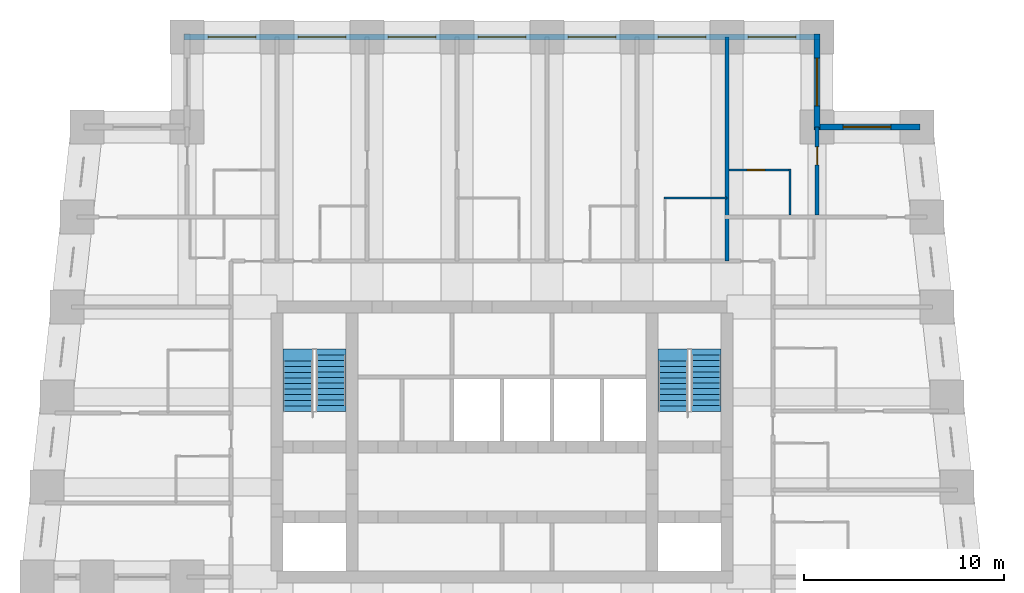
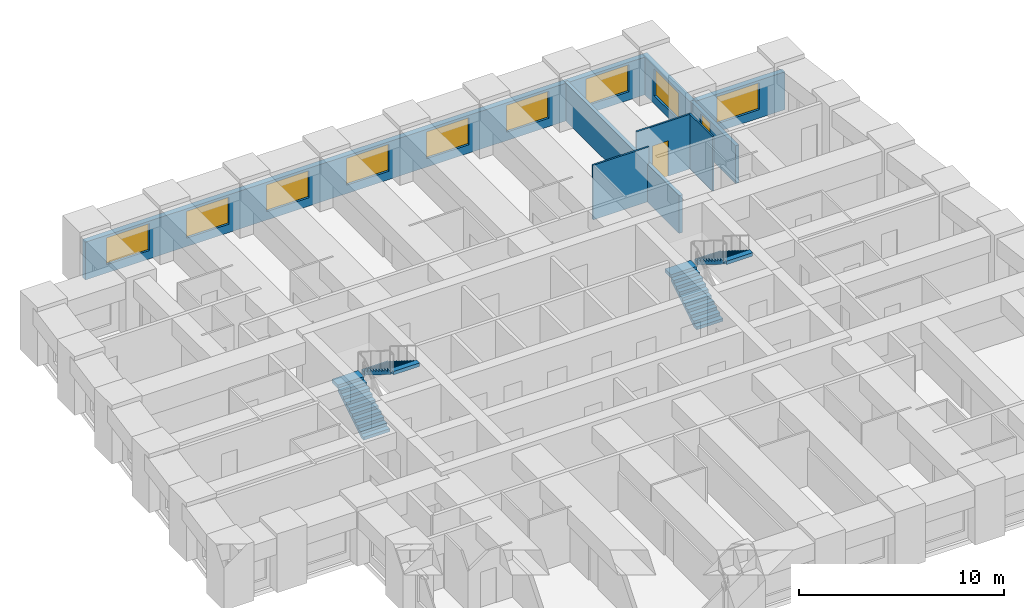
# One storey, part 7 of 8: 9 windows, 8 walls, 4 stair flights, 2 doors, 11 openings, 2 elements without a shape of their own.
"""IFC4 building model written with IfcOpenShell, lengths in metres."""

from ifc_helpers import new_model, si_unit, direction, frame, frame_2d, origin, place, context, subcontext, project, spatial, polyline, rectangle, outline, extrude, material, layer, layer_set, type_object, element, fill, aggregate, save


model = new_model("IFC4")

# Units and contexts
model_context = context("Model", 3, precision=1e-05, world=origin(), true_north=direction((0.0, 1.0)))
body_context = subcontext(model_context, "Body", "Model", "MODEL_VIEW")
ifc_project = project(units=[si_unit("LENGTHUNIT", "METRE"), si_unit("AREAUNIT", "SQUARE_METRE"), si_unit("VOLUMEUNIT", "CUBIC_METRE"), si_unit("PLANEANGLEUNIT", "RADIAN"), si_unit("MASSUNIT", "GRAM", prefix="KILO")], contexts=[model_context])

# Site, building, storey
site_placement = place(None, origin())
site = spatial("IfcSite", under=ifc_project, at=site_placement, CompositionType="ELEMENT")
building_placement = place(site_placement, origin())
building = spatial("IfcBuilding", under=site, at=building_placement, Name="Kilele Tower Hotel", CompositionType="ELEMENT")
storey_placement = place(building_placement, frame((0.0, 0.0, 204.39990234375)))
storey = spatial("IfcBuildingStorey", under=building, at=storey_placement, Name="L53", CompositionType="ELEMENT", Elevation=204.39990234375)

# Walls
ifc_material_1 = material(Name="Moisture-resistant board")
ifc_layer_1 = layer(ifc_material_1, 0.10009765625)
ifc_layer_set_1 = layer_set([ifc_layer_1], Name="Moisture-resistant board")
wall_type_1 = type_object("IfcWallType", Name="Bathroom partition 100", PredefinedType="PLUMBINGWALL", material=ifc_layer_set_1)
wall_1_placement = place(storey_placement, frame((32.85009765625, 32.449951171875, 0.0), z_axis=(0.0, 0.0, 1.0), x_axis=(1.0, 0.0, 0.0)))
element("IfcWall", 1, at=wall_1_placement, inside=storey, type_object=wall_type_1, Name="Bathroom partition 100 L53", PredefinedType="PLUMBINGWALL", context=body_context, shape_type="SweptSolid", body=[
    extrude(rectangle(XDim=3.14990234375, YDim=0.10009765625, at=frame_2d((1.574951171875, 0.0))), origin(), (0.0, 0.0, 1.0), 3.25),
])
wall_2_placement = place(storey_placement, frame((39.14990234375, 31.60009765625, 0.0), z_axis=(0.0, 0.0, 1.0), x_axis=(0.0, 1.0, 0.0)))
element("IfcWall", 2, at=wall_2_placement, inside=storey, type_object=wall_type_1, Name="Bathroom partition 100 L53", PredefinedType="PLUMBINGWALL", context=body_context, shape_type="SweptSolid", body=[
    extrude(rectangle(XDim=2.2998046875, YDim=0.10009765625, at=frame_2d((1.14990234375, 0.0))), origin(), (0.0, 0.0, 1.0), 3.25),
])

# Wall, opening, door
wall_3_placement = place(storey_placement, frame((36.10009765625, 33.85009765625, 0.0), z_axis=(0.0, 0.0, 1.0), x_axis=(1.0, 0.0, 0.0)))
wall_3 = element("IfcWall", 3, at=wall_3_placement, inside=storey, type_object=wall_type_1, Name="Bathroom partition 100 L53", PredefinedType="PLUMBINGWALL", context=body_context, shape_type="SweptSolid", body=[
    extrude(rectangle(XDim=3.099853515625, YDim=0.10009765625, at=frame_2d((1.5498046875, 0.0))), origin(), (0.0, 0.0, 1.0), 3.25),
])
opening_1_placement = place(wall_3_placement, frame((0.89990234375, 0.0, 0.0)))
opening_1 = element("IfcOpeningElement", 4, at=opening_1_placement, cuts=wall_3, Name="Opening D2A", PredefinedType="OPENING", context=body_context, shape_type="SweptSolid", body=[
    extrude(rectangle(XDim=0.89990234375, YDim=2.10009765625, at=frame_2d((0.449951171875, 1.050048828125))), frame((0.0, 0.06005859375, 0.0), z_axis=(0.0, -1.0, 0.0), x_axis=(1.0, 0.0, 0.0)), (0.0, 0.0, 1.0), 0.1201171875),
])
ifc_material_2 = material(Name="Timber door leaf in hardwood frame", Category="wood")
door_type_1 = type_object("IfcDoorType", Name="Bathroom door 900", OperationType="SINGLE_SWING_LEFT", PredefinedType="DOOR", material=ifc_material_2)
door_1_placement = place(opening_1_placement, origin())
door_1 = element("IfcDoor", 5, at=door_1_placement, inside=storey, type_object=door_type_1, Name="Bathroom door 5323B", OperationType="SINGLE_SWING_LEFT", OverallHeight=2.10009765625, OverallWidth=0.89990234375, PredefinedType="DOOR", context=body_context, shape_type="SweptSolid", body=[
    extrude(rectangle(XDim=0.89990234375, YDim=2.10009765625, at=frame_2d((0.449951171875, 1.050048828125))), frame((0.0, 0.02490234375, 0.0), z_axis=(0.0, -1.0, 0.0), x_axis=(1.0, 0.0, 0.0)), (0.0, 0.0, 1.0), 0.050048828125),
])
fill(opening_1, door_1)

ifc_material_3 = material(Name="Blockwork, plastered both sides", Category="masonry")
ifc_layer_2 = layer(ifc_material_3, 0.199951171875)
ifc_layer_set_2 = layer_set([ifc_layer_2], Name="Blockwork, plastered both sides")
wall_type_2 = type_object("IfcWallType", Name="Partition wall 200", PredefinedType="PARTITIONING", material=ifc_layer_set_2)
wall_4_placement = place(storey_placement, frame((40.5, 31.60009765625, 0.0), z_axis=(0.0, 0.0, 1.0), x_axis=(0.0, 1.0, 0.0)))
wall_4 = element("IfcWall", 6, at=wall_4_placement, inside=storey, type_object=wall_type_2, Name="Partition wall 200 L53", PredefinedType="PARTITIONING", context=body_context, shape_type="SweptSolid", body=[
    extrude(rectangle(XDim=4.39990234375, YDim=0.199951171875, at=frame_2d((2.199951171875, 0.0))), origin(), (0.0, 0.0, 1.0), 2.25),
])
opening_2_placement = place(wall_4_placement, frame((2.5, 0.0, 0.0)))
opening_2 = element("IfcOpeningElement", 7, at=opening_2_placement, cuts=wall_4, Name="Opening D3", PredefinedType="OPENING", context=body_context, shape_type="SweptSolid", body=[
    extrude(rectangle(XDim=0.89990234375, YDim=2.10009765625, at=frame_2d((0.449951171875, 1.050048828125))), frame((0.0, 0.10986328125, 0.0), z_axis=(0.0, -1.0, 0.0), x_axis=(1.0, 0.0, 0.0)), (0.0, 0.0, 1.0), 0.219970703125),
])
ifc_material_4 = material(Name="Timber door leaf in hardwood frame", Category="wood")
door_type_2 = type_object("IfcDoorType", Name="Suite internal door 900", OperationType="SINGLE_SWING_LEFT", PredefinedType="DOOR", material=ifc_material_4)
door_2_placement = place(opening_2_placement, origin())
door_2 = element("IfcDoor", 8, at=door_2_placement, inside=storey, type_object=door_type_2, Name="Suite door 5324", OperationType="SINGLE_SWING_RIGHT", OverallHeight=2.10009765625, OverallWidth=0.89990234375, PredefinedType="DOOR", context=body_context, shape_type="SweptSolid", body=[
    extrude(rectangle(XDim=0.89990234375, YDim=2.10009765625, at=frame_2d((0.449951171875, 1.050048828125))), frame((0.0, 0.02490234375, 0.0), z_axis=(0.0, -1.0, 0.0), x_axis=(1.0, 0.0, 0.0)), (0.0, 0.0, 1.0), 0.050048828125),
])
fill(opening_2, door_2)

# Wall
ifc_material_5 = material(Name="Blockwork, plastered both sides", Category="masonry")
ifc_layer_3 = layer(ifc_material_5, 0.199951171875)
ifc_layer_set_3 = layer_set([ifc_layer_3], Name="Blockwork, plastered both sides")
wall_type_3 = type_object("IfcWallType", Name="Party wall 200", PredefinedType="PARTITIONING", material=ifc_layer_set_3)
wall_5_placement = place(storey_placement, frame((36.0, 29.300048828125, 0.0), z_axis=(0.0, 0.0, 1.0), x_axis=(0.0, 1.0, 0.0)))
element("IfcWall", 9, at=wall_5_placement, inside=storey, type_object=wall_type_3, Name="Party wall 200 L53", PredefinedType="PARTITIONING", context=body_context, shape_type="SweptSolid", body=[
    extrude(rectangle(XDim=11.199951171875, YDim=0.199951171875, at=frame_2d((5.60009765625, 0.0))), origin(), (0.0, 0.0, 1.0), 2.25),
])

# Wall, opening, window
ifc_material_6 = material(Name="Concrete C40/50 precast", Category="concrete")
ifc_layer_4 = layer(ifc_material_6, 0.260009765625, Name="Precast backing", Category="LoadBearing")
ifc_material_7 = material(Name="Reconstituted stone finish", Category="masonry")
ifc_layer_5 = layer(ifc_material_7, 0.0400390625, Name="Face mix", Category="Finish")
ifc_layer_set_4 = layer_set([ifc_layer_4, ifc_layer_5], Name="Precast concrete C40/50, reconstituted stone finish")
wall_type_4 = type_object("IfcWallType", Name="Precast stone facade wall 300", PredefinedType="STANDARD", material=ifc_layer_set_4)
wall_6_placement = place(storey_placement, frame((45.64990234375, 36.0, 0.0), z_axis=(0.0, 0.0, 1.0), x_axis=(-1.0, 0.0, 0.0)))
wall_6 = element("IfcWall", 10, at=wall_6_placement, inside=storey, type_object=wall_type_4, Name="Facade wall L53 edge 7", PredefinedType="STANDARD", context=body_context, shape_type="SweptSolid", body=[
    extrude(rectangle(XDim=5.2998046875, YDim=0.300048828125, at=frame_2d((2.64990234375, 0.0))), origin(), (0.0, 0.0, 1.0), 2.25),
])
opening_3_placement = place(wall_6_placement, frame((1.449951171875, 0.0, 0.5)))
opening_3 = element("IfcOpeningElement", 11, at=opening_3_placement, cuts=wall_6, Name="Opening W3", PredefinedType="OPENING", context=body_context, shape_type="SweptSolid", body=[
    extrude(rectangle(XDim=2.39990234375, YDim=1.60009765625, at=frame_2d((1.199951171875, 0.800048828125))), frame((0.0, 0.159912109375, 0.0), z_axis=(0.0, -1.0, 0.0), x_axis=(1.0, 0.0, 0.0)), (0.0, 0.0, 1.0), 0.320068359375),
])
ifc_material_8 = material(Name="Aluminium frame, clear double glazing", Category="aluminium")
window_type = type_object("IfcWindowType", Name="Window W3 2400 x 1600", PartitioningType="SINGLE_PANEL", PredefinedType="WINDOW", material=ifc_material_8)
window_1_placement = place(opening_3_placement, origin())
window_1 = element("IfcWindow", 12, at=window_1_placement, inside=storey, type_object=window_type, Name="Window L53", OverallHeight=1.60009765625, OverallWidth=2.39990234375, PartitioningType="SINGLE_PANEL", PredefinedType="WINDOW", context=body_context, shape_type="SweptSolid", body=[
    extrude(rectangle(XDim=2.39990234375, YDim=1.60009765625, at=frame_2d((1.199951171875, 0.800048828125))), frame((0.0, 0.030029296875, 0.0), z_axis=(0.0, -1.0, 0.0), x_axis=(1.0, 0.0, 0.0)), (0.0, 0.0, 1.0), 0.06005859375),
])
fill(opening_3, window_1)

wall_7_placement = place(storey_placement, frame((40.5, 35.85009765625, 0.0), z_axis=(0.0, 0.0, 1.0), x_axis=(0.0, 1.0, 0.0)))
wall_7 = element("IfcWall", 13, at=wall_7_placement, inside=storey, type_object=wall_type_4, Name="Facade wall L53 edge 8", PredefinedType="STANDARD", context=body_context, shape_type="SweptSolid", body=[
    extrude(rectangle(XDim=4.7998046875, YDim=0.300048828125, at=frame_2d((2.39990234375, 0.0))), origin(), (0.0, 0.0, 1.0), 2.25),
])
opening_4_placement = place(wall_7_placement, frame((1.199951171875, 0.0, 0.5)))
opening_4 = element("IfcOpeningElement", 14, at=opening_4_placement, cuts=wall_7, Name="Opening W3", PredefinedType="OPENING", context=body_context, shape_type="SweptSolid", body=[
    extrude(rectangle(XDim=2.39990234375, YDim=1.60009765625, at=frame_2d((1.199951171875, 0.800048828125))), frame((0.0, 0.159912109375, 0.0), z_axis=(0.0, -1.0, 0.0), x_axis=(1.0, 0.0, 0.0)), (0.0, 0.0, 1.0), 0.320068359375),
])
window_2_placement = place(opening_4_placement, origin())
window_2 = element("IfcWindow", 15, at=window_2_placement, inside=storey, type_object=window_type, Name="Window L53", OverallHeight=1.60009765625, OverallWidth=2.39990234375, PartitioningType="SINGLE_PANEL", PredefinedType="WINDOW", context=body_context, shape_type="SweptSolid", body=[
    extrude(rectangle(XDim=2.39990234375, YDim=1.60009765625, at=frame_2d((1.199951171875, 0.800048828125))), frame((0.0, 0.030029296875, 0.0), z_axis=(0.0, -1.0, 0.0), x_axis=(1.0, 0.0, 0.0)), (0.0, 0.0, 1.0), 0.06005859375),
])
fill(opening_4, window_2)

# Wall, openings, windows
wall_8_placement = place(storey_placement, frame((40.64990234375, 40.5, 0.0), z_axis=(0.0, 0.0, 1.0), x_axis=(-1.0, 0.0, 0.0)))
wall_8 = element("IfcWall", 16, at=wall_8_placement, inside=storey, type_object=wall_type_4, Name="Facade wall L53 edge 9", PredefinedType="STANDARD", context=body_context, shape_type="SweptSolid", body=[
    extrude(rectangle(XDim=31.7998046875, YDim=0.300048828125, at=frame_2d((15.89990234375, 0.0))), origin(), (0.0, 0.0, 1.0), 2.25),
])
opening_5_placement = place(wall_8_placement, frame((1.199951171875, 0.0, 0.5)))
opening_5 = element("IfcOpeningElement", 17, at=opening_5_placement, cuts=wall_8, Name="Opening W3", PredefinedType="OPENING", context=body_context, shape_type="SweptSolid", body=[
    extrude(rectangle(XDim=2.39990234375, YDim=1.60009765625, at=frame_2d((1.199951171875, 0.800048828125))), frame((0.0, 0.159912109375, 0.0), z_axis=(0.0, -1.0, 0.0), x_axis=(1.0, 0.0, 0.0)), (0.0, 0.0, 1.0), 0.320068359375),
])
opening_6_placement = place(wall_8_placement, frame((5.699951171875, 0.0, 0.5)))
opening_6 = element("IfcOpeningElement", 18, at=opening_6_placement, cuts=wall_8, Name="Opening W3", PredefinedType="OPENING", context=body_context, shape_type="SweptSolid", body=[
    extrude(rectangle(XDim=2.39990234375, YDim=1.60009765625, at=frame_2d((1.199951171875, 0.800048828125))), frame((0.0, 0.159912109375, 0.0), z_axis=(0.0, -1.0, 0.0), x_axis=(1.0, 0.0, 0.0)), (0.0, 0.0, 1.0), 0.320068359375),
])
opening_7_placement = place(wall_8_placement, frame((10.199951171875, 0.0, 0.5)))
opening_7 = element("IfcOpeningElement", 19, at=opening_7_placement, cuts=wall_8, Name="Opening W3", PredefinedType="OPENING", context=body_context, shape_type="SweptSolid", body=[
    extrude(rectangle(XDim=2.39990234375, YDim=1.60009765625, at=frame_2d((1.199951171875, 0.800048828125))), frame((0.0, 0.159912109375, 0.0), z_axis=(0.0, -1.0, 0.0), x_axis=(1.0, 0.0, 0.0)), (0.0, 0.0, 1.0), 0.320068359375),
])
opening_8_placement = place(wall_8_placement, frame((14.699951171875, 0.0, 0.5)))
opening_8 = element("IfcOpeningElement", 20, at=opening_8_placement, cuts=wall_8, Name="Opening W3", PredefinedType="OPENING", context=body_context, shape_type="SweptSolid", body=[
    extrude(rectangle(XDim=2.39990234375, YDim=1.60009765625, at=frame_2d((1.199951171875, 0.800048828125))), frame((0.0, 0.159912109375, 0.0), z_axis=(0.0, -1.0, 0.0), x_axis=(1.0, 0.0, 0.0)), (0.0, 0.0, 1.0), 0.320068359375),
])
opening_9_placement = place(wall_8_placement, frame((19.199951171875, 0.0, 0.5)))
opening_9 = element("IfcOpeningElement", 21, at=opening_9_placement, cuts=wall_8, Name="Opening W3", PredefinedType="OPENING", context=body_context, shape_type="SweptSolid", body=[
    extrude(rectangle(XDim=2.39990234375, YDim=1.60009765625, at=frame_2d((1.199951171875, 0.800048828125))), frame((0.0, 0.159912109375, 0.0), z_axis=(0.0, -1.0, 0.0), x_axis=(1.0, 0.0, 0.0)), (0.0, 0.0, 1.0), 0.320068359375),
])
opening_10_placement = place(wall_8_placement, frame((23.699951171875, 0.0, 0.5)))
opening_10 = element("IfcOpeningElement", 22, at=opening_10_placement, cuts=wall_8, Name="Opening W3", PredefinedType="OPENING", context=body_context, shape_type="SweptSolid", body=[
    extrude(rectangle(XDim=2.39990234375, YDim=1.60009765625, at=frame_2d((1.199951171875, 0.800048828125))), frame((0.0, 0.159912109375, 0.0), z_axis=(0.0, -1.0, 0.0), x_axis=(1.0, 0.0, 0.0)), (0.0, 0.0, 1.0), 0.320068359375),
])
opening_11_placement = place(wall_8_placement, frame((28.199951171875, 0.0, 0.5)))
opening_11 = element("IfcOpeningElement", 23, at=opening_11_placement, cuts=wall_8, Name="Opening W3", PredefinedType="OPENING", context=body_context, shape_type="SweptSolid", body=[
    extrude(rectangle(XDim=2.39990234375, YDim=1.60009765625, at=frame_2d((1.199951171875, 0.800048828125))), frame((0.0, 0.159912109375, 0.0), z_axis=(0.0, -1.0, 0.0), x_axis=(1.0, 0.0, 0.0)), (0.0, 0.0, 1.0), 0.320068359375),
])
window_3_placement = place(opening_5_placement, origin())
window_3 = element("IfcWindow", 24, at=window_3_placement, inside=storey, type_object=window_type, Name="Window L53", OverallHeight=1.60009765625, OverallWidth=2.39990234375, PartitioningType="SINGLE_PANEL", PredefinedType="WINDOW", context=body_context, shape_type="SweptSolid", body=[
    extrude(rectangle(XDim=2.39990234375, YDim=1.60009765625, at=frame_2d((1.199951171875, 0.800048828125))), frame((0.0, 0.030029296875, 0.0), z_axis=(0.0, -1.0, 0.0), x_axis=(1.0, 0.0, 0.0)), (0.0, 0.0, 1.0), 0.06005859375),
])
fill(opening_5, window_3)
window_4_placement = place(opening_6_placement, origin())
window_4 = element("IfcWindow", 25, at=window_4_placement, inside=storey, type_object=window_type, Name="Window L53", OverallHeight=1.60009765625, OverallWidth=2.39990234375, PartitioningType="SINGLE_PANEL", PredefinedType="WINDOW", context=body_context, shape_type="SweptSolid", body=[
    extrude(rectangle(XDim=2.39990234375, YDim=1.60009765625, at=frame_2d((1.199951171875, 0.800048828125))), frame((0.0, 0.030029296875, 0.0), z_axis=(0.0, -1.0, 0.0), x_axis=(1.0, 0.0, 0.0)), (0.0, 0.0, 1.0), 0.06005859375),
])
fill(opening_6, window_4)
window_5_placement = place(opening_7_placement, origin())
window_5 = element("IfcWindow", 26, at=window_5_placement, inside=storey, type_object=window_type, Name="Window L53", OverallHeight=1.60009765625, OverallWidth=2.39990234375, PartitioningType="SINGLE_PANEL", PredefinedType="WINDOW", context=body_context, shape_type="SweptSolid", body=[
    extrude(rectangle(XDim=2.39990234375, YDim=1.60009765625, at=frame_2d((1.199951171875, 0.800048828125))), frame((0.0, 0.030029296875, 0.0), z_axis=(0.0, -1.0, 0.0), x_axis=(1.0, 0.0, 0.0)), (0.0, 0.0, 1.0), 0.06005859375),
])
fill(opening_7, window_5)
window_6_placement = place(opening_8_placement, origin())
window_6 = element("IfcWindow", 27, at=window_6_placement, inside=storey, type_object=window_type, Name="Window L53", OverallHeight=1.60009765625, OverallWidth=2.39990234375, PartitioningType="SINGLE_PANEL", PredefinedType="WINDOW", context=body_context, shape_type="SweptSolid", body=[
    extrude(rectangle(XDim=2.39990234375, YDim=1.60009765625, at=frame_2d((1.199951171875, 0.800048828125))), frame((0.0, 0.030029296875, 0.0), z_axis=(0.0, -1.0, 0.0), x_axis=(1.0, 0.0, 0.0)), (0.0, 0.0, 1.0), 0.06005859375),
])
fill(opening_8, window_6)
window_7_placement = place(opening_9_placement, origin())
window_7 = element("IfcWindow", 28, at=window_7_placement, inside=storey, type_object=window_type, Name="Window L53", OverallHeight=1.60009765625, OverallWidth=2.39990234375, PartitioningType="SINGLE_PANEL", PredefinedType="WINDOW", context=body_context, shape_type="SweptSolid", body=[
    extrude(rectangle(XDim=2.39990234375, YDim=1.60009765625, at=frame_2d((1.199951171875, 0.800048828125))), frame((0.0, 0.030029296875, 0.0), z_axis=(0.0, -1.0, 0.0), x_axis=(1.0, 0.0, 0.0)), (0.0, 0.0, 1.0), 0.06005859375),
])
fill(opening_9, window_7)
window_8_placement = place(opening_10_placement, origin())
window_8 = element("IfcWindow", 29, at=window_8_placement, inside=storey, type_object=window_type, Name="Window L53", OverallHeight=1.60009765625, OverallWidth=2.39990234375, PartitioningType="SINGLE_PANEL", PredefinedType="WINDOW", context=body_context, shape_type="SweptSolid", body=[
    extrude(rectangle(XDim=2.39990234375, YDim=1.60009765625, at=frame_2d((1.199951171875, 0.800048828125))), frame((0.0, 0.030029296875, 0.0), z_axis=(0.0, -1.0, 0.0), x_axis=(1.0, 0.0, 0.0)), (0.0, 0.0, 1.0), 0.06005859375),
])
fill(opening_10, window_8)
window_9_placement = place(opening_11_placement, origin())
window_9 = element("IfcWindow", 30, at=window_9_placement, inside=storey, type_object=window_type, Name="Window L53", OverallHeight=1.60009765625, OverallWidth=2.39990234375, PartitioningType="SINGLE_PANEL", PredefinedType="WINDOW", context=body_context, shape_type="SweptSolid", body=[
    extrude(rectangle(XDim=2.39990234375, YDim=1.60009765625, at=frame_2d((1.199951171875, 0.800048828125))), frame((0.0, 0.030029296875, 0.0), z_axis=(0.0, -1.0, 0.0), x_axis=(1.0, 0.0, 0.0)), (0.0, 0.0, 1.0), 0.06005859375),
])
fill(opening_11, window_9)

# Stair, stair flights
ifc_material_9 = material(Name="Precast concrete C40/50", Category="concrete")
stair_type = type_object("IfcStairType", Name="Stair 1475 x 3500", PredefinedType="HALF_TURN_STAIR", material=ifc_material_9)
stair_1_placement = place(storey_placement, origin())
stair_1 = element("IfcStair", 31, at=stair_1_placement, inside=storey, type_object=stair_type, Name="Stair 1 L53", PredefinedType="HALF_TURN_STAIR")
ifc_material_10 = material(Name="Precast concrete C40/50", Category="concrete")
stair_flight_type = type_object("IfcStairFlightType", Name="Flight 1475 riser 175.0", PredefinedType="STRAIGHT", material=ifc_material_10)
stair_flight_1_placement = place(storey_placement, frame((14.53759765625, 21.77490234375, 0.0), z_axis=(0.0, 0.0, 1.0), x_axis=(0.0, 1.0, 0.0)))
stair_flight_1 = element("IfcStairFlight", 32, at=stair_flight_1_placement, type_object=stair_flight_type, Name="ST1 flight 1", NumberOfRisers=10, NumberOfTreads=9, PredefinedType="STRAIGHT", RiserHeight=0.175, TreadLength=0.28, context=body_context, shape_type="SweptSolid", body=[
    extrude(outline(polyline([(0.0, 0.0), (0.0, 0.175048828125), (0.280029296875, 0.175048828125), (0.280029296875, 0.35009765625), (0.56005859375, 0.35009765625), (0.56005859375, 0.52490234375), (0.840087890625, 0.52490234375), (0.840087890625, 0.699951171875), (1.1201171875, 0.699951171875), (1.1201171875, 0.875), (1.39990234375, 0.875), (1.39990234375, 1.050048828125), (1.679931640625, 1.050048828125), (1.679931640625, 1.22509765625), (1.9599609375, 1.22509765625), (1.9599609375, 1.39990234375), (2.239990234375, 1.39990234375), (2.239990234375, 1.574951171875), (2.52001953125, 1.574951171875), (2.52001953125, 1.75), (2.52001953125, 1.398193359375), (0.28271484375, 0.0), (0.0, 0.0)])), frame((0.0, 0.737548828125, 0.0), z_axis=(0.0, -1.0, 0.0), x_axis=(1.0, 0.0, 0.0)), (0.0, 0.0, 1.0), 1.47509765625),
    extrude(outline(polyline([(2.52001953125, 0.737548828125), (2.52001953125, -0.7373046875), (3.1201171875, -0.7373046875), (3.1201171875, 0.737548828125), (2.52001953125, 0.737548828125)])), frame((0.0, 0.0, 1.550048828125)), (0.0, 0.0, 1.0), 0.199951171875),
])
stair_flight_2_placement = place(storey_placement, frame((16.21240234375, 24.594970703125, 1.75), z_axis=(0.0, 0.0, 1.0), x_axis=(0.0, -1.0, 0.0)))
stair_flight_2 = element("IfcStairFlight", 33, at=stair_flight_2_placement, type_object=stair_flight_type, Name="ST1 flight 2", NumberOfRisers=10, NumberOfTreads=9, PredefinedType="STRAIGHT", RiserHeight=0.175, TreadLength=0.28, context=body_context, shape_type="SweptSolid", body=[
    extrude(outline(polyline([(0.0, 0.0), (0.0, 0.175048828125), (0.280029296875, 0.175048828125), (0.280029296875, 0.35009765625), (0.56005859375, 0.35009765625), (0.56005859375, 0.52490234375), (0.840087890625, 0.52490234375), (0.840087890625, 0.699951171875), (1.1201171875, 0.699951171875), (1.1201171875, 0.875), (1.39990234375, 0.875), (1.39990234375, 1.050048828125), (1.679931640625, 1.050048828125), (1.679931640625, 1.22509765625), (1.9599609375, 1.22509765625), (1.9599609375, 1.39990234375), (2.239990234375, 1.39990234375), (2.239990234375, 1.574951171875), (2.52001953125, 1.574951171875), (2.52001953125, 1.75), (2.52001953125, 1.398193359375), (0.28271484375, 0.0), (0.0, 0.0)])), frame((0.0, 0.737548828125, 0.0), z_axis=(0.0, -1.0, 0.0), x_axis=(1.0, 0.0, 0.0)), (0.0, 0.0, 1.0), 1.47509765625),
    extrude(outline(polyline([(0.0, -0.7373046875), (0.0, 0.737548828125), (-0.300048828125, 0.737548828125), (-0.300048828125, -0.7373046875), (0.0, -0.7373046875)])), frame((0.0, 0.0, -0.199951171875)), (0.0, 0.0, 1.0), 0.199951171875),
    extrude(outline(polyline([(2.820068359375, -0.7373046875), (2.820068359375, 0.737548828125), (2.52001953125, 0.737548828125), (2.52001953125, -0.7373046875), (2.820068359375, -0.7373046875)])), frame((0.0, 0.0, 1.550048828125)), (0.0, 0.0, 1.0), 0.199951171875),
])
aggregate(stair_1, [stair_flight_1, stair_flight_2])

stair_2_placement = place(storey_placement, origin())
stair_2 = element("IfcStair", 34, at=stair_2_placement, inside=storey, type_object=stair_type, Name="Stair 2 L53", PredefinedType="HALF_TURN_STAIR")
stair_flight_3_placement = place(storey_placement, frame((33.28759765625, 21.77490234375, 0.0), z_axis=(0.0, 0.0, 1.0), x_axis=(0.0, 1.0, 0.0)))
stair_flight_3 = element("IfcStairFlight", 35, at=stair_flight_3_placement, type_object=stair_flight_type, Name="ST2 flight 1", NumberOfRisers=10, NumberOfTreads=9, PredefinedType="STRAIGHT", RiserHeight=0.175, TreadLength=0.28, context=body_context, shape_type="SweptSolid", body=[
    extrude(outline(polyline([(0.0, 0.0), (0.0, 0.175048828125), (0.280029296875, 0.175048828125), (0.280029296875, 0.35009765625), (0.56005859375, 0.35009765625), (0.56005859375, 0.52490234375), (0.840087890625, 0.52490234375), (0.840087890625, 0.699951171875), (1.1201171875, 0.699951171875), (1.1201171875, 0.875), (1.39990234375, 0.875), (1.39990234375, 1.050048828125), (1.679931640625, 1.050048828125), (1.679931640625, 1.22509765625), (1.9599609375, 1.22509765625), (1.9599609375, 1.39990234375), (2.239990234375, 1.39990234375), (2.239990234375, 1.574951171875), (2.52001953125, 1.574951171875), (2.52001953125, 1.75), (2.52001953125, 1.398193359375), (0.28271484375, 0.0), (0.0, 0.0)])), frame((0.0, 0.737548828125, 0.0), z_axis=(0.0, -1.0, 0.0), x_axis=(1.0, 0.0, 0.0)), (0.0, 0.0, 1.0), 1.47509765625),
    extrude(outline(polyline([(2.52001953125, 0.737548828125), (2.52001953125, -0.7373046875), (3.1201171875, -0.7373046875), (3.1201171875, 0.737548828125), (2.52001953125, 0.737548828125)])), frame((0.0, 0.0, 1.550048828125)), (0.0, 0.0, 1.0), 0.199951171875),
])
stair_flight_4_placement = place(storey_placement, frame((34.96240234375, 24.594970703125, 1.75), z_axis=(0.0, 0.0, 1.0), x_axis=(0.0, -1.0, 0.0)))
stair_flight_4 = element("IfcStairFlight", 36, at=stair_flight_4_placement, type_object=stair_flight_type, Name="ST2 flight 2", NumberOfRisers=10, NumberOfTreads=9, PredefinedType="STRAIGHT", RiserHeight=0.175, TreadLength=0.28, context=body_context, shape_type="SweptSolid", body=[
    extrude(outline(polyline([(0.0, 0.0), (0.0, 0.175048828125), (0.280029296875, 0.175048828125), (0.280029296875, 0.35009765625), (0.56005859375, 0.35009765625), (0.56005859375, 0.52490234375), (0.840087890625, 0.52490234375), (0.840087890625, 0.699951171875), (1.1201171875, 0.699951171875), (1.1201171875, 0.875), (1.39990234375, 0.875), (1.39990234375, 1.050048828125), (1.679931640625, 1.050048828125), (1.679931640625, 1.22509765625), (1.9599609375, 1.22509765625), (1.9599609375, 1.39990234375), (2.239990234375, 1.39990234375), (2.239990234375, 1.574951171875), (2.52001953125, 1.574951171875), (2.52001953125, 1.75), (2.52001953125, 1.398193359375), (0.28271484375, 0.0), (0.0, 0.0)])), frame((0.0, 0.737548828125, 0.0), z_axis=(0.0, -1.0, 0.0), x_axis=(1.0, 0.0, 0.0)), (0.0, 0.0, 1.0), 1.47509765625),
    extrude(outline(polyline([(0.0, -0.7373046875), (0.0, 0.737548828125), (-0.300048828125, 0.737548828125), (-0.300048828125, -0.7373046875), (0.0, -0.7373046875)])), frame((0.0, 0.0, -0.199951171875)), (0.0, 0.0, 1.0), 0.199951171875),
    extrude(outline(polyline([(2.820068359375, -0.7373046875), (2.820068359375, 0.737548828125), (2.52001953125, 0.737548828125), (2.52001953125, -0.7373046875), (2.820068359375, -0.7373046875)])), frame((0.0, 0.0, 1.550048828125)), (0.0, 0.0, 1.0), 0.199951171875),
])
aggregate(stair_2, [stair_flight_3, stair_flight_4])

save(model, "model.ifc")
